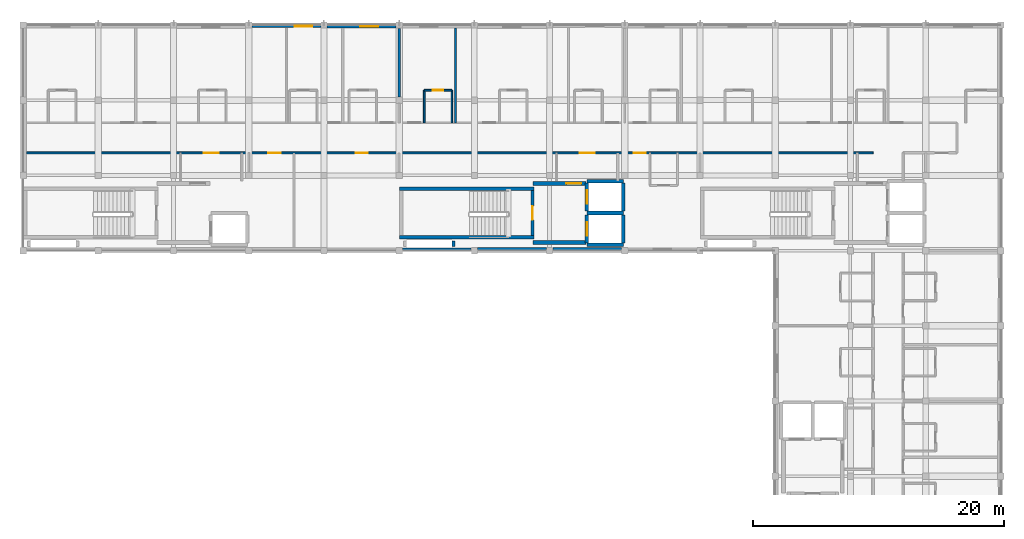
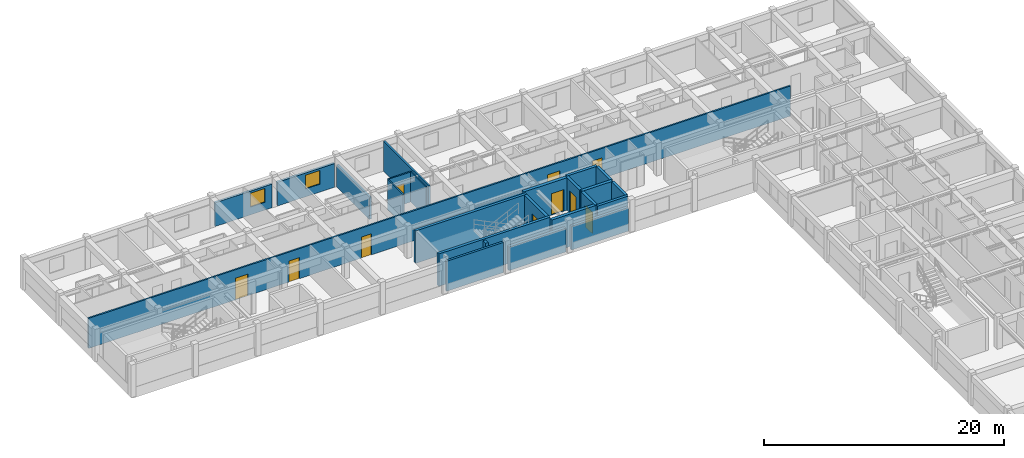
# One storey, part 8 of 15: 24 walls, 10 doors, 2 windows, 12 openings.
"""IFC4 building model written with IfcOpenShell, lengths in metres."""

from ifc_helpers import new_model, si_unit, direction, frame, frame_2d, origin, place, context, subcontext, project, spatial, rectangle, extrude, material, layer, layer_set, type_object, element, fill, save


model = new_model("IFC4")

# Units and contexts
model_context = context("Model", 3, precision=1e-05, world=origin(), true_north=direction((0.0, 1.0)))
body_context = subcontext(model_context, "Body", "Model", "MODEL_VIEW")
ifc_project = project(units=[si_unit("LENGTHUNIT", "METRE"), si_unit("AREAUNIT", "SQUARE_METRE"), si_unit("VOLUMEUNIT", "CUBIC_METRE"), si_unit("PLANEANGLEUNIT", "RADIAN"), si_unit("MASSUNIT", "GRAM", prefix="KILO"), si_unit("THERMODYNAMICTEMPERATUREUNIT", "KELVIN"), si_unit("POWERUNIT", "WATT")], contexts=[model_context])

# Site, building, storey
site_placement = place(None, origin())
site = spatial("IfcSite", under=ifc_project, at=site_placement, CompositionType="ELEMENT")
building_placement = place(site_placement, origin())
building = spatial("IfcBuilding", under=site, at=building_placement, Name="Phaisarnlok Congress Hotel", CompositionType="ELEMENT")
storey_placement = place(building_placement, frame((0.0, 0.0, 41.39990234375)))
storey = spatial("IfcBuildingStorey", under=building, at=storey_placement, Name="L10", CompositionType="ELEMENT", Elevation=41.39990234375)

# Wall, opening, window
ifc_material_1 = material(Name="Concrete C40/50", Category="concrete")
ifc_layer_1 = layer(ifc_material_1, 0.2099609375, Name="Concrete C40/50")
ifc_layer_set_1 = layer_set([ifc_layer_1], Name="Concrete C40/50")
wall_type_1 = type_object("IfcWallType", Name="WL-EXT-210", PredefinedType="SOLIDWALL", material=ifc_layer_set_1)
wall_1_placement = place(storey_placement, frame((125.7451171875, 125.89501953125, 0.0), z_axis=(0.0, 0.0, 1.0), x_axis=(-1.0, 0.0, 0.0)))
wall_1 = element("IfcWall", 1, at=wall_1_placement, inside=storey, type_object=wall_type_1, Name="Exterior wall EW-07 (L10)", PredefinedType="SOLIDWALL", context=body_context, shape_type="SweptSolid", body=[
    extrude(rectangle(XDim=5.490234375, YDim=0.2099609375, at=frame_2d((2.7451171875, 0.0))), origin(), (0.0, 0.0, 1.0), 2.41015625),
])
opening_1_placement = place(wall_1_placement, frame((0.681884765625, 0.0, 0.800048828125)))
opening_1 = element("IfcOpeningElement", 2, at=opening_1_placement, cuts=wall_1, Name="Opening W-13", PredefinedType="OPENING", context=body_context, shape_type="SweptSolid", body=[
    extrude(rectangle(XDim=1.39990234375, YDim=1.39990234375, at=frame_2d((0.699951171875, 0.699951171875))), frame((0.0, 0.114990234375, 0.0), z_axis=(0.0, -1.0, 0.0), x_axis=(1.0, 0.0, 0.0)), (0.0, 0.0, 1.0), 0.22998046875),
])
ifc_material_2 = material(Name="Thermally Broken Aluminium & Low-E Double Glazing", Category="aluminium")
window_type = type_object("IfcWindowType", Name="WIN-POD-1400", PartitioningType="SINGLE_PANEL", PredefinedType="WINDOW", material=ifc_material_2)
window_1_placement = place(opening_1_placement, origin())
window_1 = element("IfcWindow", 3, at=window_1_placement, inside=storey, type_object=window_type, Name="Guestroom window W-13 (L10)", OverallHeight=1.39990234375, OverallWidth=1.39990234375, PartitioningType="SINGLE_PANEL", PredefinedType="WINDOW", context=body_context, shape_type="SweptSolid", body=[
    extrude(rectangle(XDim=1.39990234375, YDim=1.39990234375, at=frame_2d((0.699951171875, 0.699951171875))), frame((0.0, 0.030029296875, 0.0), z_axis=(0.0, -1.0, 0.0), x_axis=(1.0, 0.0, 0.0)), (0.0, 0.0, 1.0), 0.06005859375),
])
fill(opening_1, window_1)

# Wall
wall_2_placement = place(storey_placement, frame((132.2548828125, 108.10498046875, 0.0), z_axis=(0.0, 0.0, 1.0), x_axis=(1.0, 0.0, 0.0)))
element("IfcWall", 4, at=wall_2_placement, inside=storey, type_object=wall_type_1, Name="Exterior wall EW-07 (L10)", PredefinedType="SOLIDWALL", context=body_context, shape_type="SweptSolid", body=[
    extrude(rectangle(XDim=5.490234375, YDim=0.2099609375, at=frame_2d((2.7451171875, 0.0))), origin(), (0.0, 0.0, 1.0), 3.06005859375),
])

# Wall, opening, window
ifc_layer_2 = layer(ifc_material_1, 0.22998046875, Name="Concrete C40/50")
ifc_layer_set_2 = layer_set([ifc_layer_2], Name="Concrete C40/50")
wall_type_2 = type_object("IfcWallType", Name="WL-EXT-230", PredefinedType="SOLIDWALL", material=ifc_layer_set_2)
wall_3_placement = place(storey_placement, frame((131.7451171875, 125.885009765625, 0.0), z_axis=(0.0, 0.0, 1.0), x_axis=(-1.0, 0.0, 0.0)))
wall_3 = element("IfcWall", 5, at=wall_3_placement, inside=storey, type_object=wall_type_2, Name="Exterior wall EW-06 (L10)", PredefinedType="SOLIDWALL", context=body_context, shape_type="SweptSolid", body=[
    extrude(rectangle(XDim=5.490234375, YDim=0.22998046875, at=frame_2d((2.7451171875, 0.0))), origin(), (0.0, 0.0, 1.0), 2.41015625),
])
opening_2_placement = place(wall_3_placement, frame((1.431884765625, 0.0, 0.800048828125)))
opening_2 = element("IfcOpeningElement", 6, at=opening_2_placement, cuts=wall_3, Name="Opening W-13", PredefinedType="OPENING", context=body_context, shape_type="SweptSolid", body=[
    extrude(rectangle(XDim=1.39990234375, YDim=1.39990234375, at=frame_2d((0.699951171875, 0.699951171875))), frame((0.0, 0.125, 0.0), z_axis=(0.0, -1.0, 0.0), x_axis=(1.0, 0.0, 0.0)), (0.0, 0.0, 1.0), 0.25),
])
window_2_placement = place(opening_2_placement, origin())
window_2 = element("IfcWindow", 7, at=window_2_placement, inside=storey, type_object=window_type, Name="Guestroom window W-13 (L10)", OverallHeight=1.39990234375, OverallWidth=1.39990234375, PartitioningType="SINGLE_PANEL", PredefinedType="WINDOW", context=body_context, shape_type="SweptSolid", body=[
    extrude(rectangle(XDim=1.39990234375, YDim=1.39990234375, at=frame_2d((0.699951171875, 0.699951171875))), frame((0.0, 0.030029296875, 0.0), z_axis=(0.0, -1.0, 0.0), x_axis=(1.0, 0.0, 0.0)), (0.0, 0.0, 1.0), 0.06005859375),
])
fill(opening_2, window_2)

# Walls
ifc_layer_3 = layer(ifc_material_1, 0.25, Name="Concrete C40/50")
ifc_layer_set_3 = layer_set([ifc_layer_3], Name="Concrete C40/50")
wall_type_3 = type_object("IfcWallType", Name="WL-EXT-250", PredefinedType="SOLIDWALL", material=ifc_layer_set_3)
wall_4_placement = place(storey_placement, frame((144.2548828125, 108.125, 0.0), z_axis=(0.0, 0.0, 1.0), x_axis=(1.0, 0.0, 0.0)))
element("IfcWall", 8, at=wall_4_placement, inside=storey, type_object=wall_type_3, Name="Exterior wall EW-05 (L10)", PredefinedType="SOLIDWALL", context=body_context, shape_type="SweptSolid", body=[
    extrude(rectangle(XDim=5.490234375, YDim=0.25, at=frame_2d((2.7451171875, 0.0))), origin(), (0.0, 0.0, 1.0), 2.41015625),
])
ifc_layer_4 = layer(ifc_material_1, 0.27001953125, Name="Concrete C40/50")
ifc_layer_set_4 = layer_set([ifc_layer_4], Name="Concrete C40/50")
wall_type_4 = type_object("IfcWallType", Name="WL-EXT-270", PredefinedType="SOLIDWALL", material=ifc_layer_set_4)
wall_5_placement = place(storey_placement, frame((138.2548828125, 108.135009765625, 0.0), z_axis=(0.0, 0.0, 1.0), x_axis=(1.0, 0.0, 0.0)))
element("IfcWall", 9, at=wall_5_placement, inside=storey, type_object=wall_type_4, Name="Exterior wall EW-04 (L10)", PredefinedType="SOLIDWALL", context=body_context, shape_type="SweptSolid", body=[
    extrude(rectangle(XDim=5.490234375, YDim=0.27001953125, at=frame_2d((2.7451171875, 0.0))), origin(), (0.0, 0.0, 1.0), 2.41015625),
])
ifc_material_3 = material(Name="Lightweight Metal-Stud Gypsum Partition", Category="gypsum")
ifc_layer_5 = layer(ifc_material_3, 0.1201171875, Name="Lightweight Metal-Stud Gypsum Partition")
ifc_layer_set_5 = layer_set([ifc_layer_5], Name="Lightweight Metal-Stud Gypsum Partition")
wall_type_5 = type_object("IfcWallType", Name="WL-INT-120", PredefinedType="PARTITIONING", material=ifc_layer_set_5)
wall_6_placement = place(storey_placement, frame((136.199951171875, 118.199951171875, 0.0), z_axis=(0.0, 0.0, 1.0), x_axis=(0.0, 1.0, 0.0)))
element("IfcWall", 10, at=wall_6_placement, inside=storey, type_object=wall_type_5, Name="Interior partition wall IW-07 (L10)", PredefinedType="PARTITIONING", context=body_context, shape_type="SweptSolid", body=[
    extrude(rectangle(XDim=2.60009765625, YDim=0.1201171875, at=frame_2d((1.300048828125, 0.0))), origin(), (0.0, 0.0, 1.0), 3.06005859375),
])
ifc_material_4 = material(Name="Moisture-Resistant Gypsum Partition", Category="gypsum")
ifc_layer_6 = layer(ifc_material_4, 0.135009765625, Name="Moisture-Resistant Gypsum Partition")
ifc_layer_set_6 = layer_set([ifc_layer_6], Name="Moisture-Resistant Gypsum Partition")
wall_type_6 = type_object("IfcWallType", Name="WL-INT-135", PredefinedType="PARTITIONING", material=ifc_layer_set_6)
wall_7_placement = place(storey_placement, frame((134.0, 118.199951171875, 0.0), z_axis=(0.0, 0.0, 1.0), x_axis=(0.0, 1.0, 0.0)))
element("IfcWall", 11, at=wall_7_placement, inside=storey, type_object=wall_type_6, Name="Interior partition wall IW-06 (L10)", PredefinedType="PARTITIONING", context=body_context, shape_type="SweptSolid", body=[
    extrude(rectangle(XDim=2.60009765625, YDim=0.135009765625, at=frame_2d((1.300048828125, 0.0))), origin(), (0.0, 0.0, 1.0), 3.06005859375),
])

# Wall, opening, door
wall_8_placement = place(storey_placement, frame((134.0, 120.800048828125, 0.0), z_axis=(0.0, 0.0, 1.0), x_axis=(1.0, 0.0, 0.0)))
wall_8 = element("IfcWall", 12, at=wall_8_placement, inside=storey, type_object=wall_type_6, Name="Interior partition wall IW-06 (L10)", PredefinedType="PARTITIONING", context=body_context, shape_type="SweptSolid", body=[
    extrude(rectangle(XDim=2.199951171875, YDim=0.135009765625, at=frame_2d((1.10009765625, 0.0))), origin(), (0.0, 0.0, 1.0), 3.06005859375),
])
opening_3_placement = place(wall_8_placement, frame((0.675048828125, 0.0, 0.0)))
opening_3 = element("IfcOpeningElement", 13, at=opening_3_placement, cuts=wall_8, Name="Opening D-0569", PredefinedType="OPENING", context=body_context, shape_type="SweptSolid", body=[
    extrude(rectangle(XDim=0.85009765625, YDim=2.10009765625, at=frame_2d((0.425048828125, 1.050048828125))), frame((0.0, 0.07763671875, 0.0), z_axis=(0.0, -1.0, 0.0), x_axis=(1.0, 0.0, 0.0)), (0.0, 0.0, 1.0), 0.155029296875),
])
ifc_material_5 = material(Name="Moisture-Resistant Lacquered Timber", Category="wood")
door_type_1 = type_object("IfcDoorType", Name="DR-BATH-850", OperationType="NOTDEFINED", PredefinedType="DOOR", material=ifc_material_5)
door_1_placement = place(opening_3_placement, origin())
door_1 = element("IfcDoor", 14, at=door_1_placement, inside=storey, type_object=door_type_1, Name="Interior door D-0569 (L10)", OperationType="SINGLE_SWING_LEFT", OverallHeight=2.10009765625, OverallWidth=0.85009765625, PredefinedType="DOOR", context=body_context, shape_type="SweptSolid", body=[
    extrude(rectangle(XDim=0.85009765625, YDim=2.10009765625, at=frame_2d((0.425048828125, 1.050048828125))), frame((0.0, 0.02490234375, 0.0), z_axis=(0.0, -1.0, 0.0), x_axis=(1.0, 0.0, 0.0)), (0.0, 0.0, 1.0), 0.050048828125),
])
fill(opening_3, door_1)

# Wall, openings, doors
ifc_material_6 = material(Name="Acoustic Gypsum Board & Mineral Wool", Category="gypsum")
ifc_layer_7 = layer(ifc_material_6, 0.14990234375, Name="Acoustic Gypsum Board & Mineral Wool")
ifc_layer_set_7 = layer_set([ifc_layer_7], Name="Acoustic Gypsum Board & Mineral Wool")
wall_type_7 = type_object("IfcWallType", Name="WL-INT-150", PredefinedType="PARTITIONING", material=ifc_layer_set_7)
wall_9_placement = place(storey_placement, frame((102.27490234375, 115.800048828125, 0.0), z_axis=(0.0, 0.0, 1.0), x_axis=(1.0, 0.0, 0.0)))
wall_9 = element("IfcWall", 15, at=wall_9_placement, inside=storey, type_object=wall_type_7, Name="Interior partition wall IW-05 (L10)", PredefinedType="PARTITIONING", context=body_context, shape_type="SweptSolid", body=[
    extrude(rectangle(XDim=67.525146484375, YDim=0.14990234375, at=frame_2d((33.7626953125, 0.0))), origin(), (0.0, 0.0, 1.0), 3.06005859375),
])
opening_4_placement = place(wall_9_placement, frame((44.125, 0.0, 0.0)))
opening_4 = element("IfcOpeningElement", 16, at=opening_4_placement, cuts=wall_9, Name="Opening D-0555", PredefinedType="OPENING", context=body_context, shape_type="SweptSolid", body=[
    extrude(rectangle(XDim=1.199951171875, YDim=2.199951171875, at=frame_2d((0.60009765625, 1.10009765625))), frame((0.0, 0.0849609375, 0.0), z_axis=(0.0, -1.0, 0.0), x_axis=(1.0, 0.0, 0.0)), (0.0, 0.0, 1.0), 0.169921875),
])
opening_5_placement = place(wall_9_placement, frame((14.125, 0.0, 0.0)))
opening_5 = element("IfcOpeningElement", 17, at=opening_5_placement, cuts=wall_9, Name="Opening D-0556", PredefinedType="OPENING", context=body_context, shape_type="SweptSolid", body=[
    extrude(rectangle(XDim=1.199951171875, YDim=2.199951171875, at=frame_2d((0.60009765625, 1.10009765625))), frame((0.0, 0.0849609375, 0.0), z_axis=(0.0, -1.0, 0.0), x_axis=(1.0, 0.0, 0.0)), (0.0, 0.0, 1.0), 0.169921875),
])
opening_6_placement = place(wall_9_placement, frame((19.27490234375, 0.0, 0.0)))
opening_6 = element("IfcOpeningElement", 18, at=opening_6_placement, cuts=wall_9, Name="Opening D-0558", PredefinedType="OPENING", context=body_context, shape_type="SweptSolid", body=[
    extrude(rectangle(XDim=1.0, YDim=2.14990234375, at=frame_2d((0.5, 1.074951171875))), frame((0.0, 0.0849609375, 0.0), z_axis=(0.0, -1.0, 0.0), x_axis=(1.0, 0.0, 0.0)), (0.0, 0.0, 1.0), 0.169921875),
])
opening_7_placement = place(wall_9_placement, frame((26.2451171875, 0.0, 0.0)))
opening_7 = element("IfcOpeningElement", 19, at=opening_7_placement, cuts=wall_9, Name="Opening D-0559", PredefinedType="OPENING", context=body_context, shape_type="SweptSolid", body=[
    extrude(rectangle(XDim=0.9599609375, YDim=2.14990234375, at=frame_2d((0.47998046875, 1.074951171875))), frame((0.0, 0.0849609375, 0.0), z_axis=(0.0, -1.0, 0.0), x_axis=(1.0, 0.0, 0.0)), (0.0, 0.0, 1.0), 0.169921875),
])
opening_8_placement = place(wall_9_placement, frame((48.449951171875, 0.0, 0.0)))
opening_8 = element("IfcOpeningElement", 20, at=opening_8_placement, cuts=wall_9, Name="Opening D-0584", PredefinedType="OPENING", context=body_context, shape_type="SweptSolid", body=[
    extrude(rectangle(XDim=0.949951171875, YDim=2.10009765625, at=frame_2d((0.47509765625, 1.050048828125))), frame((0.0, 0.0849609375, 0.0), z_axis=(0.0, -1.0, 0.0), x_axis=(1.0, 0.0, 0.0)), (0.0, 0.0, 1.0), 0.169921875),
])
ifc_material_7 = material(Name="Acoustic Solid-Core Teak Veneer", Category="wood")
door_type_2 = type_object("IfcDoorType", Name="DR-FD30-950", OperationType="NOTDEFINED", PredefinedType="DOOR", material=ifc_material_7)
door_2_placement = place(opening_8_placement, origin())
door_2 = element("IfcDoor", 21, at=door_2_placement, inside=storey, type_object=door_type_2, Name="Interior door D-0584 (L10)", OperationType="SINGLE_SWING_RIGHT", OverallHeight=2.10009765625, OverallWidth=0.949951171875, PredefinedType="DOOR", context=body_context, shape_type="SweptSolid", body=[
    extrude(rectangle(XDim=0.949951171875, YDim=2.10009765625, at=frame_2d((0.47509765625, 1.050048828125))), frame((0.0, 0.02490234375, 0.0), z_axis=(0.0, -1.0, 0.0), x_axis=(1.0, 0.0, 0.0)), (0.0, 0.0, 1.0), 0.050048828125),
])
fill(opening_8, door_2)
ifc_material_8 = material(Name="Fire-Rated Steel Frame & Timber Leaf", Category="steel")
door_type_3 = type_object("IfcDoorType", Name="DR-FD60-1200", OperationType="NOTDEFINED", PredefinedType="DOOR", material=ifc_material_8)
door_3_placement = place(opening_4_placement, origin())
door_3 = element("IfcDoor", 22, at=door_3_placement, inside=storey, type_object=door_type_3, Name="Interior door D-0555 (L10)", OperationType="SINGLE_SWING_RIGHT", OverallHeight=2.199951171875, OverallWidth=1.199951171875, PredefinedType="DOOR", context=body_context, shape_type="SweptSolid", body=[
    extrude(rectangle(XDim=1.199951171875, YDim=2.199951171875, at=frame_2d((0.60009765625, 1.10009765625))), frame((0.0, 0.02490234375, 0.0), z_axis=(0.0, -1.0, 0.0), x_axis=(1.0, 0.0, 0.0)), (0.0, 0.0, 1.0), 0.050048828125),
])
fill(opening_4, door_3)
door_4_placement = place(opening_5_placement, origin())
door_4 = element("IfcDoor", 23, at=door_4_placement, inside=storey, type_object=door_type_3, Name="Interior door D-0556 (L10)", OperationType="SINGLE_SWING_LEFT", OverallHeight=2.199951171875, OverallWidth=1.199951171875, PredefinedType="DOOR", context=body_context, shape_type="SweptSolid", body=[
    extrude(rectangle(XDim=1.199951171875, YDim=2.199951171875, at=frame_2d((0.60009765625, 1.10009765625))), frame((0.0, 0.02490234375, 0.0), z_axis=(0.0, -1.0, 0.0), x_axis=(1.0, 0.0, 0.0)), (0.0, 0.0, 1.0), 0.050048828125),
])
fill(opening_5, door_4)
door_type_4 = type_object("IfcDoorType", Name="DR-FD60-950", OperationType="NOTDEFINED", PredefinedType="DOOR", material=ifc_material_8)
door_5_placement = place(opening_7_placement, origin())
door_5 = element("IfcDoor", 24, at=door_5_placement, inside=storey, type_object=door_type_4, Name="Interior door D-0559 (L10)", OperationType="SINGLE_SWING_RIGHT", OverallHeight=2.14990234375, OverallWidth=0.9599609375, PredefinedType="DOOR", context=body_context, shape_type="SweptSolid", body=[
    extrude(rectangle(XDim=0.9599609375, YDim=2.14990234375, at=frame_2d((0.47998046875, 1.074951171875))), frame((0.0, 0.02490234375, 0.0), z_axis=(0.0, -1.0, 0.0), x_axis=(1.0, 0.0, 0.0)), (0.0, 0.0, 1.0), 0.050048828125),
])
fill(opening_7, door_5)
ifc_material_9 = material(Name="Solid-Core Oak Veneer", Category="wood")
door_type_5 = type_object("IfcDoorType", Name="DR-INT-1000", OperationType="NOTDEFINED", PredefinedType="DOOR", material=ifc_material_9)
door_6_placement = place(opening_6_placement, origin())
door_6 = element("IfcDoor", 25, at=door_6_placement, inside=storey, type_object=door_type_5, Name="Interior door D-0558 (L10)", OperationType="SINGLE_SWING_LEFT", OverallHeight=2.14990234375, OverallWidth=1.0, PredefinedType="DOOR", context=body_context, shape_type="SweptSolid", body=[
    extrude(rectangle(XDim=1.0, YDim=2.14990234375, at=frame_2d((0.5, 1.074951171875))), frame((0.0, 0.02490234375, 0.0), z_axis=(0.0, -1.0, 0.0), x_axis=(1.0, 0.0, 0.0)), (0.0, 0.0, 1.0), 0.050048828125),
])
fill(opening_6, door_6)

# Walls
ifc_material_10 = material(Name="Double-Stud Acoustic Gypsum Partition", Category="gypsum")
ifc_layer_8 = layer(ifc_material_10, 0.159912109375, Name="Double-Stud Acoustic Gypsum Partition")
ifc_layer_set_8 = layer_set([ifc_layer_8], Name="Double-Stud Acoustic Gypsum Partition")
wall_type_8 = type_object("IfcWallType", Name="WL-INT-160", PredefinedType="PARTITIONING", material=ifc_layer_set_8)
wall_10_placement = place(storey_placement, frame((136.5, 118.199951171875, 0.0), z_axis=(0.0, 0.0, 1.0), x_axis=(0.0, 1.0, 0.0)))
element("IfcWall", 26, at=wall_10_placement, inside=storey, type_object=wall_type_8, Name="Interior partition wall IW-04 (L10)", PredefinedType="PARTITIONING", context=body_context, shape_type="SweptSolid", body=[
    extrude(rectangle(XDim=7.545166015625, YDim=0.159912109375, at=frame_2d((3.7724609375, 0.0))), origin(), (0.0, 0.0, 1.0), 3.06005859375),
])
ifc_material_11 = material(Name="Autoclaved Aerated Concrete Block", Category="concrete")
ifc_layer_9 = layer(ifc_material_11, 0.199951171875, Name="Autoclaved Aerated Concrete Block")
ifc_layer_set_9 = layer_set([ifc_layer_9], Name="Autoclaved Aerated Concrete Block")
wall_type_9 = type_object("IfcWallType", Name="WL-INT-200", PredefinedType="PARTITIONING", material=ifc_layer_set_9)
wall_11_placement = place(storey_placement, frame((132.0, 120.2548828125, 0.0), z_axis=(0.0, 0.0, 1.0), x_axis=(0.0, 1.0, 0.0)))
element("IfcWall", 27, at=wall_11_placement, inside=storey, type_object=wall_type_9, Name="Interior partition wall IW-02 (L10)", PredefinedType="PARTITIONING", context=body_context, shape_type="SweptSolid", body=[
    extrude(rectangle(XDim=5.465087890625, YDim=0.199951171875, at=frame_2d((2.732421875, 0.0))), origin(), (0.0, 0.0, 1.0), 2.260009765625),
])
ifc_material_12 = material(Name="Concrete C50/60", Category="concrete")
ifc_layer_10 = layer(ifc_material_12, 0.260009765625, Name="Concrete C50/60")
ifc_layer_set_10 = layer_set([ifc_layer_10], Name="Concrete C50/60")
wall_type_10 = type_object("IfcWallType", Name="WL-SHR-260", PredefinedType="SHEAR", material=ifc_layer_set_10)
for number, where, z_axis, x_axis, name in (
    (28, (132.0400390625, 109.070068359375, 0.0), (0.0, 0.0, 1.0), (1.0, 0.0, 0.0), "Stair shaft shear wall SW-04 (CORE-2 L10)"),
    (29, (132.0400390625, 112.929931640625, 0.0), (0.0, 0.0, 1.0), (1.0, 0.0, 0.0), "Stair shaft shear wall SW-04 (CORE-2 L10)"),
):
    element("IfcWall", number, at=place(storey_placement, frame(where, z_axis=z_axis, x_axis=x_axis)), inside=storey, type_object=wall_type_10, Name=name, PredefinedType="SHEAR", context=body_context, shape_type="SweptSolid", body=[
        extrude(rectangle(XDim=10.719970703125, YDim=0.260009765625, at=frame_2d((5.35986328125, 0.0))), origin(), (0.0, 0.0, 1.0), 3.300048828125),
    ])

# Wall, opening, door
wall_12_placement = place(storey_placement, frame((142.6298828125, 109.199951171875, 0.0), z_axis=(0.0, 0.0, 1.0), x_axis=(0.0, 1.0, 0.0)))
wall_12 = element("IfcWall", 30, at=wall_12_placement, inside=storey, type_object=wall_type_10, Name="Stair shaft shear wall SW-04 (CORE-2 L10)", PredefinedType="SHEAR", context=body_context, shape_type="SweptSolid", body=[
    extrude(rectangle(XDim=3.60009765625, YDim=0.260009765625, at=frame_2d((1.800048828125, 0.0))), origin(), (0.0, 0.0, 1.0), 3.300048828125),
])
opening_9_placement = place(wall_12_placement, frame((1.25, 0.0, 0.0)))
opening_9 = element("IfcOpeningElement", 31, at=opening_9_placement, cuts=wall_12, Name="Opening FD-042", PredefinedType="OPENING", context=body_context, shape_type="SweptSolid", body=[
    extrude(rectangle(XDim=1.10009765625, YDim=2.14990234375, at=frame_2d((0.550048828125, 1.074951171875))), frame((0.0, 0.14013671875, 0.0), z_axis=(0.0, -1.0, 0.0), x_axis=(1.0, 0.0, 0.0)), (0.0, 0.0, 1.0), 0.280029296875),
])
door_type_6 = type_object("IfcDoorType", Name="DR-FD60-1100", OperationType="NOTDEFINED", PredefinedType="DOOR", material=ifc_material_8)
door_7_placement = place(opening_9_placement, origin())
door_7 = element("IfcDoor", 32, at=door_7_placement, inside=storey, type_object=door_type_6, Name="Stair enclosure fire door FD-042 (L10)", OperationType="SINGLE_SWING_LEFT", OverallHeight=2.14990234375, OverallWidth=1.10009765625, PredefinedType="DOOR", context=body_context, shape_type="SweptSolid", body=[
    extrude(rectangle(XDim=1.10009765625, YDim=2.14990234375, at=frame_2d((0.550048828125, 1.074951171875))), frame((0.0, 0.02490234375, 0.0), z_axis=(0.0, -1.0, 0.0), x_axis=(1.0, 0.0, 0.0)), (0.0, 0.0, 1.0), 0.050048828125),
])
fill(opening_9, door_7)

# Walls
wall_13_placement = place(storey_placement, frame((146.969970703125, 108.469970703125, 0.0), z_axis=(0.0, 0.0, 1.0), x_axis=(1.0, 0.0, 0.0)))
element("IfcWall", 33, at=wall_13_placement, inside=storey, type_object=wall_type_10, Name="Lift shaft shear wall SW-04 (LF-FF2 L10)", PredefinedType="SHEAR", context=body_context, shape_type="SweptSolid", body=[
    extrude(rectangle(XDim=2.909912109375, YDim=0.260009765625, at=frame_2d((1.455078125, 0.0))), origin(), (0.0, 0.0, 1.0), 3.300048828125),
])
wall_14_placement = place(storey_placement, frame((149.8798828125, 108.60009765625, 0.0), z_axis=(0.0, 0.0, 1.0), x_axis=(0.0, 1.0, 0.0)))
element("IfcWall", 34, at=wall_14_placement, inside=storey, type_object=wall_type_10, Name="Lift shaft shear wall SW-04 (LF-FF2 L10)", PredefinedType="SHEAR", context=body_context, shape_type="SweptSolid", body=[
    extrude(rectangle(XDim=2.25, YDim=0.260009765625, at=frame_2d((1.125, 0.0))), origin(), (0.0, 0.0, 1.0), 3.300048828125),
])

# Wall, opening, door
wall_15_placement = place(storey_placement, frame((146.969970703125, 108.60009765625, 0.0), z_axis=(0.0, 0.0, 1.0), x_axis=(0.0, 1.0, 0.0)))
wall_15 = element("IfcWall", 35, at=wall_15_placement, inside=storey, type_object=wall_type_10, Name="Lift shaft front wall SW-04 (LF-FF2 L10)", PredefinedType="SHEAR", context=body_context, shape_type="SweptSolid", body=[
    extrude(rectangle(XDim=2.25, YDim=0.260009765625, at=frame_2d((1.125, 0.0))), origin(), (0.0, 0.0, 1.0), 3.300048828125),
])
opening_10_placement = place(wall_15_placement, frame((0.574951171875, 0.0, 0.0)))
opening_10 = element("IfcOpeningElement", 36, at=opening_10_placement, cuts=wall_15, Name="Opening LD-042", PredefinedType="OPENING", context=body_context, shape_type="SweptSolid", body=[
    extrude(rectangle(XDim=1.10009765625, YDim=2.199951171875, at=frame_2d((0.550048828125, 1.10009765625))), frame((0.0, 0.14013671875, 0.0), z_axis=(0.0, -1.0, 0.0), x_axis=(1.0, 0.0, 0.0)), (0.0, 0.0, 1.0), 0.280029296875),
])
ifc_material_13 = material(Name="Brushed Stainless Steel Grade 304", Category="steel")
door_type_7 = type_object("IfcDoorType", Name="DR-LD-1100", OperationType="DOUBLE_DOOR_SLIDING", PredefinedType="DOOR", material=ifc_material_13)
door_8_placement = place(opening_10_placement, origin())
door_8 = element("IfcDoor", 37, at=door_8_placement, inside=storey, type_object=door_type_7, Name="Lift landing sliding door LD-042 (LF-FF2 L10)", OperationType="DOUBLE_DOOR_SLIDING", OverallHeight=2.199951171875, OverallWidth=1.10009765625, PredefinedType="DOOR", context=body_context, shape_type="SweptSolid", body=[
    extrude(rectangle(XDim=1.10009765625, YDim=2.199951171875, at=frame_2d((0.550048828125, 1.10009765625))), frame((0.0, 0.02490234375, 0.0), z_axis=(0.0, -1.0, 0.0), x_axis=(1.0, 0.0, 0.0)), (0.0, 0.0, 1.0), 0.050048828125),
])
fill(opening_10, door_8)

# Walls
wall_16_placement = place(storey_placement, frame((146.969970703125, 113.530029296875, 0.0), z_axis=(0.0, 0.0, 1.0), x_axis=(1.0, 0.0, 0.0)))
element("IfcWall", 38, at=wall_16_placement, inside=storey, type_object=wall_type_10, Name="Lift shaft shear wall SW-04 (LF-HP2 L10)", PredefinedType="SHEAR", context=body_context, shape_type="SweptSolid", body=[
    extrude(rectangle(XDim=2.909912109375, YDim=0.260009765625, at=frame_2d((1.455078125, 0.0))), origin(), (0.0, 0.0, 1.0), 3.300048828125),
])
wall_17_placement = place(storey_placement, frame((149.8798828125, 111.14990234375, 0.0), z_axis=(0.0, 0.0, 1.0), x_axis=(0.0, 1.0, 0.0)))
element("IfcWall", 39, at=wall_17_placement, inside=storey, type_object=wall_type_10, Name="Lift shaft shear wall SW-04 (LF-HP2 L10)", PredefinedType="SHEAR", context=body_context, shape_type="SweptSolid", body=[
    extrude(rectangle(XDim=2.25, YDim=0.260009765625, at=frame_2d((1.125, 0.0))), origin(), (0.0, 0.0, 1.0), 3.300048828125),
])

# Wall, opening, door
wall_18_placement = place(storey_placement, frame((146.969970703125, 111.14990234375, 0.0), z_axis=(0.0, 0.0, 1.0), x_axis=(0.0, 1.0, 0.0)))
wall_18 = element("IfcWall", 40, at=wall_18_placement, inside=storey, type_object=wall_type_10, Name="Lift shaft front wall SW-04 (LF-HP2 L10)", PredefinedType="SHEAR", context=body_context, shape_type="SweptSolid", body=[
    extrude(rectangle(XDim=2.25, YDim=0.260009765625, at=frame_2d((1.125, 0.0))), origin(), (0.0, 0.0, 1.0), 3.300048828125),
])
opening_11_placement = place(wall_18_placement, frame((0.574951171875, 0.0, 0.0)))
opening_11 = element("IfcOpeningElement", 41, at=opening_11_placement, cuts=wall_18, Name="Opening LD-057", PredefinedType="OPENING", context=body_context, shape_type="SweptSolid", body=[
    extrude(rectangle(XDim=1.10009765625, YDim=2.199951171875, at=frame_2d((0.550048828125, 1.10009765625))), frame((0.0, 0.14013671875, 0.0), z_axis=(0.0, -1.0, 0.0), x_axis=(1.0, 0.0, 0.0)), (0.0, 0.0, 1.0), 0.280029296875),
])
door_9_placement = place(opening_11_placement, origin())
door_9 = element("IfcDoor", 42, at=door_9_placement, inside=storey, type_object=door_type_7, Name="Lift landing sliding door LD-057 (LF-HP2 L10)", OperationType="DOUBLE_DOOR_SLIDING", OverallHeight=2.199951171875, OverallWidth=1.10009765625, PredefinedType="DOOR", context=body_context, shape_type="SweptSolid", body=[
    extrude(rectangle(XDim=1.10009765625, YDim=2.199951171875, at=frame_2d((0.550048828125, 1.10009765625))), frame((0.0, 0.02490234375, 0.0), z_axis=(0.0, -1.0, 0.0), x_axis=(1.0, 0.0, 0.0)), (0.0, 0.0, 1.0), 0.050048828125),
])
fill(opening_11, door_9)

# Walls
wall_19_placement = place(storey_placement, frame((136.330078125, 108.330078125, 0.0), z_axis=(0.0, 0.0, 1.0), x_axis=(0.0, 1.0, 0.0)))
element("IfcWall", 43, at=wall_19_placement, inside=storey, type_object=wall_type_10, Name="Service riser shaft wall SW-04 (CORE-2 L10)", PredefinedType="SHEAR", context=body_context, shape_type="SweptSolid", body=[
    extrude(rectangle(XDim=0.43994140625, YDim=0.260009765625, at=frame_2d((0.219970703125, 0.0))), origin(), (0.0, 0.0, 1.0), 3.300048828125),
])
ifc_layer_11 = layer(ifc_material_12, 0.300048828125, Name="Concrete C50/60")
ifc_layer_set_11 = layer_set([ifc_layer_11], Name="Concrete C50/60")
wall_type_11 = type_object("IfcWallType", Name="WL-SHR-300", PredefinedType="SHEAR", material=ifc_layer_set_11)
wall_20_placement = place(storey_placement, frame((146.969970703125, 111.0, 0.0), z_axis=(0.0, 0.0, 1.0), x_axis=(1.0, 0.0, 0.0)))
element("IfcWall", 44, at=wall_20_placement, inside=storey, type_object=wall_type_11, Name="Lift shaft divider shear wall SW-03 (LF-FF2 L10)", PredefinedType="SHEAR", context=body_context, shape_type="SweptSolid", body=[
    extrude(rectangle(XDim=2.909912109375, YDim=0.300048828125, at=frame_2d((1.455078125, 0.0))), origin(), (0.0, 0.0, 1.0), 3.300048828125),
])

# Wall, opening, door
wall_21_placement = place(storey_placement, frame((142.679931640625, 113.35009765625, 0.0), z_axis=(0.0, 0.0, 1.0), x_axis=(1.0, 0.0, 0.0)))
wall_21 = element("IfcWall", 45, at=wall_21_placement, inside=storey, type_object=wall_type_11, Name="Core lobby EI-120 wall SW-03 (CORE-2 L10)", PredefinedType="SHEAR", context=body_context, shape_type="SweptSolid", body=[
    extrude(rectangle(XDim=4.239990234375, YDim=0.300048828125, at=frame_2d((2.1201171875, 0.0))), origin(), (0.0, 0.0, 1.0), 3.300048828125),
])
opening_12_placement = place(wall_21_placement, frame((2.64990234375, 0.0, 0.0)))
opening_12 = element("IfcOpeningElement", 46, at=opening_12_placement, cuts=wall_21, Name="Opening FD-057", PredefinedType="OPENING", context=body_context, shape_type="SweptSolid", body=[
    extrude(rectangle(XDim=1.199951171875, YDim=2.199951171875, at=frame_2d((0.60009765625, 1.10009765625))), frame((0.0, 0.16015625, 0.0), z_axis=(0.0, -1.0, 0.0), x_axis=(1.0, 0.0, 0.0)), (0.0, 0.0, 1.0), 0.320068359375),
])
door_10_placement = place(opening_12_placement, origin())
door_10 = element("IfcDoor", 47, at=door_10_placement, inside=storey, type_object=door_type_3, Name="Firefighting lobby entrance door FD-057 (CORE-2 L10)", OperationType="SINGLE_SWING_RIGHT", OverallHeight=2.199951171875, OverallWidth=1.199951171875, PredefinedType="DOOR", context=body_context, shape_type="SweptSolid", body=[
    extrude(rectangle(XDim=1.199951171875, YDim=2.199951171875, at=frame_2d((0.60009765625, 1.10009765625))), frame((0.0, 0.02490234375, 0.0), z_axis=(0.0, -1.0, 0.0), x_axis=(1.0, 0.0, 0.0)), (0.0, 0.0, 1.0), 0.050048828125),
])
fill(opening_12, door_10)

# Wall
wall_22_placement = place(storey_placement, frame((142.679931640625, 108.64990234375, 0.0), z_axis=(0.0, 0.0, 1.0), x_axis=(1.0, 0.0, 0.0)))
element("IfcWall", 48, at=wall_22_placement, inside=storey, type_object=wall_type_11, Name="Core lobby EI-120 wall SW-03 (CORE-2 L10)", PredefinedType="SHEAR", context=body_context, shape_type="SweptSolid", body=[
    extrude(rectangle(XDim=4.239990234375, YDim=0.300048828125, at=frame_2d((2.1201171875, 0.0))), origin(), (0.0, 0.0, 1.0), 3.300048828125),
])

save(model, "model.ifc")
